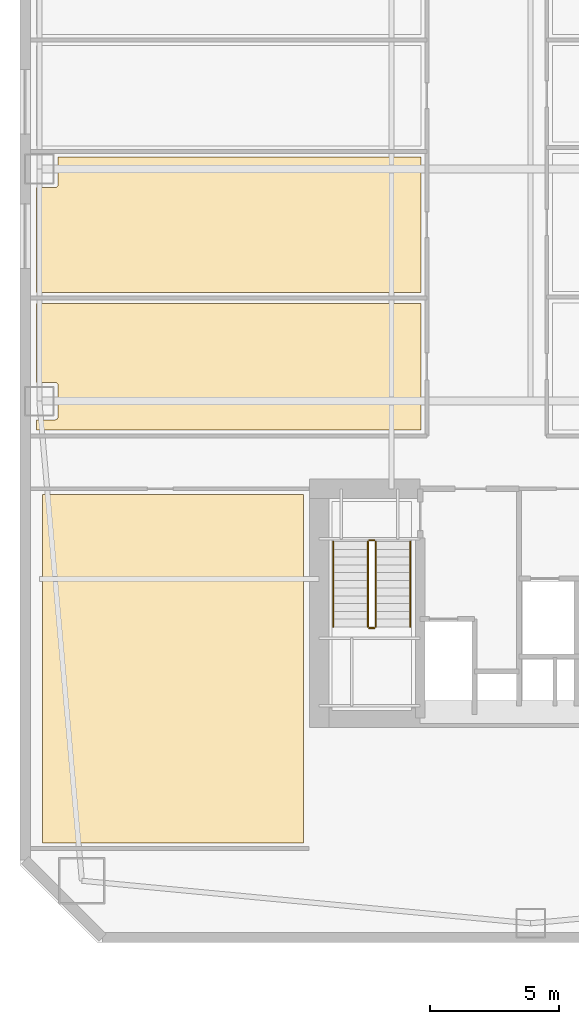
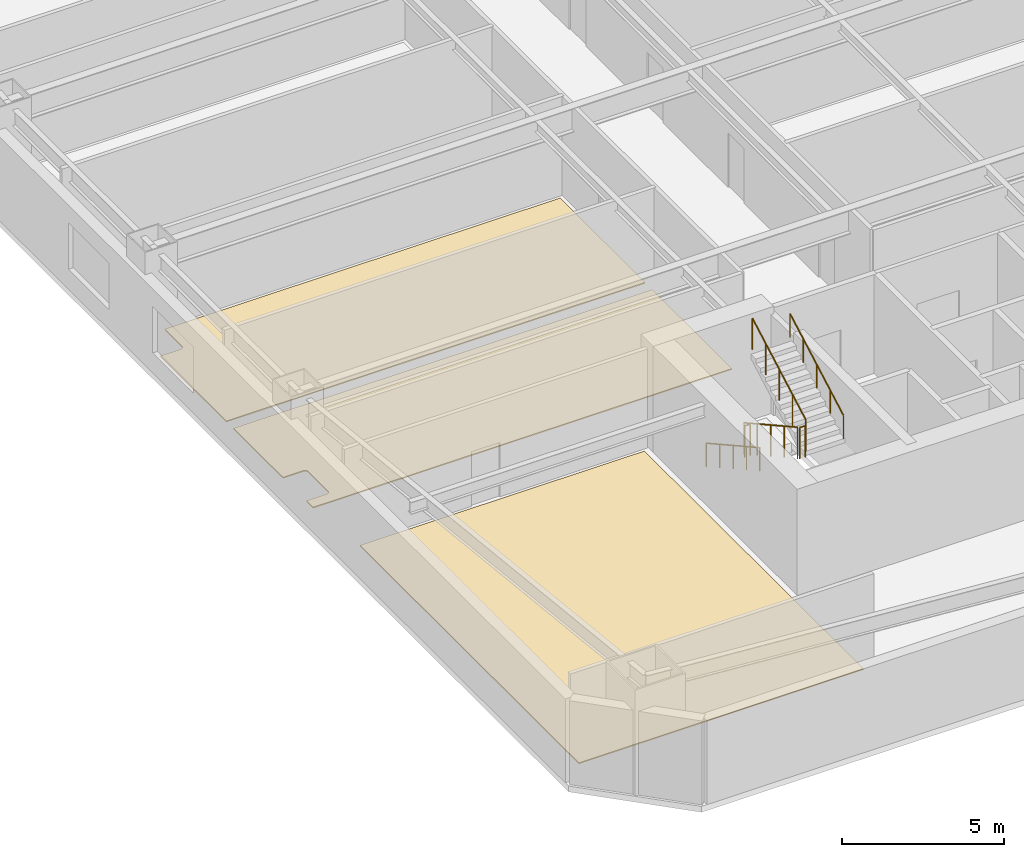
# One storey, part 16 of 24: 6 railings, 3 coverings.
"""IFC4 building model written with IfcOpenShell, lengths in metres."""

from ifc_helpers import new_model, si_unit, direction, frame, origin, origin_2d, place, context, subcontext, project, spatial, polyline, circle, outline, extrude, material, layer, layer_set, type_object, element, save


model = new_model("IFC4")

# Units and contexts
model_context = context("Model", 3, precision=1e-05, world=origin(), true_north=direction((0.0, 1.0)))
body_context = subcontext(model_context, "Body", "Model", "MODEL_VIEW")
ifc_project = project(units=[si_unit("LENGTHUNIT", "METRE"), si_unit("AREAUNIT", "SQUARE_METRE"), si_unit("VOLUMEUNIT", "CUBIC_METRE"), si_unit("PLANEANGLEUNIT", "RADIAN"), si_unit("MASSUNIT", "GRAM", prefix="KILO")], contexts=[model_context])

# Site, building, storey
site_placement = place(None, origin())
site = spatial("IfcSite", under=ifc_project, at=site_placement, CompositionType="ELEMENT")
building_placement = place(site_placement, origin())
building = spatial("IfcBuilding", under=site, at=building_placement, Name="Qiaolan Cultural Towers", CompositionType="ELEMENT")
storey_placement = place(building_placement, frame((0.0, 0.0, 30.0)))
storey = spatial("IfcBuildingStorey", under=building, at=storey_placement, Name="L06", CompositionType="ELEMENT", Elevation=30.0)

# Coverings
ifc_material_1 = material(Name="Honed Terrazzo & Raised Access Flooring", Category="concrete")
ifc_layer = layer(ifc_material_1, 0.0400390625)
ifc_layer_set = layer_set([ifc_layer], Name="Honed Terrazzo & Raised Access Flooring")
covering_type = type_object("IfcCoveringType", Name="COV-FLR-STONE", PredefinedType="FLOORING", material=ifc_layer_set)
covering_1_placement = place(storey_placement, origin())
element("IfcCovering", 1, at=covering_1_placement, inside=storey, type_object=covering_type, Name="L06 Corner Gallery Exhibition Room Finish Flooring", PredefinedType="FLOORING", context=body_context, shape_type="SweptSolid", body=[
    extrude(outline(polyline([(21.199951171875, 7.8701171875), (21.199951171875, 21.3798828125), (11.070068359375, 21.3798828125), (11.070068359375, 7.8701171875), (21.199951171875, 7.8701171875)])), origin(), (0.0, 0.0, 1.0), 0.0400390625),
])
covering_2_placement = place(storey_placement, origin())
element("IfcCovering", 2, at=covering_2_placement, inside=storey, type_object=covering_type, Name="L06 Gallery Exhibition Room Finish Flooring", PredefinedType="FLOORING", context=body_context, shape_type="SweptSolid", body=[
    extrude(outline(polyline([(10.840087890625, 25.72509765625), (11.554931640625, 25.72509765625), (11.566650390625, 25.724365234375), (11.578369140625, 25.72265625), (11.58984375, 25.7197265625), (11.600830078125, 25.7158203125), (11.611572265625, 25.7109375), (11.62158203125, 25.704833984375), (11.631103515625, 25.69775390625), (11.639892578125, 25.68994140625), (11.647705078125, 25.68115234375), (11.65478515625, 25.671630859375), (11.660888671875, 25.66162109375), (11.665771484375, 25.65087890625), (11.669921875, 25.639892578125), (11.672607421875, 25.62841796875), (11.67431640625, 25.61669921875), (11.675048828125, 25.60498046875), (11.675048828125, 24.39501953125), (11.67431640625, 24.38330078125), (11.672607421875, 24.37158203125), (11.669921875, 24.360107421875), (11.665771484375, 24.34912109375), (11.660888671875, 24.33837890625), (11.65478515625, 24.328369140625), (11.647705078125, 24.31884765625), (11.639892578125, 24.31005859375), (11.631103515625, 24.30224609375), (11.62158203125, 24.295166015625), (11.611572265625, 24.2890625), (11.600830078125, 24.2841796875), (11.58984375, 24.2802734375), (11.578369140625, 24.27734375), (11.566650390625, 24.275634765625), (11.554931640625, 24.27490234375), (10.840087890625, 24.27490234375), (10.840087890625, 23.8701171875), (25.7548828125, 23.8701171875), (25.7548828125, 28.780029296875), (10.840087890625, 28.780029296875), (10.840087890625, 25.72509765625)])), origin(), (0.0, 0.0, 1.0), 0.0400390625),
])
covering_3_placement = place(storey_placement, origin())
element("IfcCovering", 3, at=covering_3_placement, inside=storey, type_object=covering_type, Name="L06 Curatorial Office Finish Flooring", PredefinedType="FLOORING", context=body_context, shape_type="SweptSolid", body=[
    extrude(outline(polyline([(11.675048828125, 34.4599609375), (11.675048828125, 33.39501953125), (11.67431640625, 33.38330078125), (11.672607421875, 33.37158203125), (11.669921875, 33.360107421875), (11.665771484375, 33.34912109375), (11.660888671875, 33.33837890625), (11.65478515625, 33.328369140625), (11.647705078125, 33.31884765625), (11.639892578125, 33.31005859375), (11.631103515625, 33.30224609375), (11.62158203125, 33.295166015625), (11.611572265625, 33.2890625), (11.600830078125, 33.2841796875), (11.58984375, 33.2802734375), (11.578369140625, 33.27734375), (11.566650390625, 33.275634765625), (11.554931640625, 33.27490234375), (10.840087890625, 33.27490234375), (10.840087890625, 29.219970703125), (25.7548828125, 29.219970703125), (25.7548828125, 34.4599609375), (11.675048828125, 34.4599609375)])), origin(), (0.0, 0.0, 1.0), 0.0400390625),
])

# Railings
ifc_material_2 = material(Name="Galvanized Painted Steel Stair Guardrail", Category="steel")
railing_type_1 = type_object("IfcRailingType", Name="RL-STAIR-GRD", PredefinedType="GUARDRAIL", material=ifc_material_2)
railing_1_placement = place(storey_placement, frame((23.68994140625, 19.550048828125, 0.166748046875)))
element("IfcRailing", 4, at=railing_1_placement, inside=storey, type_object=railing_type_1, Name="L06 ST-W1 stair guard 1", PredefinedType="GUARDRAIL", context=body_context, shape_type="SweptSolid", body=[
    extrude(circle(Radius=0.02392578125, at=origin_2d()), frame((0.0, 0.0, 1.17578125), z_axis=(0.0, -0.874169478083, 0.485620966999), x_axis=(1.0, 0.0, 0.0)), (0.0, 0.0, 1.0), 3.775146484375),
    extrude(circle(Radius=0.02099609375, at=origin_2d()), origin(), (0.0, 0.0, 1.0), 1.15185546875),
    extrude(circle(Radius=0.02099609375, at=origin_2d()), frame((0.0, -0.824951171875, 0.458251953125)), (0.0, 0.0, 1.0), 1.15185546875),
    extrude(circle(Radius=0.02099609375, at=origin_2d()), frame((0.0, -1.64990234375, 0.91650390625)), (0.0, 0.0, 1.0), 1.15185546875),
    extrude(circle(Radius=0.02099609375, at=origin_2d()), frame((0.0, -2.47509765625, 1.375)), (0.0, 0.0, 1.0), 1.15185546875),
    extrude(circle(Radius=0.02099609375, at=origin_2d()), frame((0.0, -3.300048828125, 1.833251953125)), (0.0, 0.0, 1.0), 1.15185546875),
])
railing_2_placement = place(storey_placement, frame((23.739990234375, 16.199951171875, 2.0)))
element("IfcRailing", 5, at=railing_2_placement, inside=storey, type_object=railing_type_1, Name="L06 ST-W1 stair guard 2", PredefinedType="GUARDRAIL", context=body_context, shape_type="SweptSolid", body=[
    extrude(circle(Radius=0.02392578125, at=origin_2d()), frame((0.0, 0.0, 1.17578125), z_axis=(1.0, 0.0, 0.0), x_axis=(0.0, 1.0, 0.0)), (0.0, 0.0, 1.0), 0.199951171875),
    extrude(circle(Radius=0.02099609375, at=origin_2d()), origin(), (0.0, 0.0, 1.0), 1.15185546875),
    extrude(circle(Radius=0.02099609375, at=origin_2d()), frame((0.199951171875, 0.0, 0.0)), (0.0, 0.0, 1.0), 1.15185546875),
])
railing_3_placement = place(storey_placement, frame((23.989990234375, 16.25, 2.166748046875)))
element("IfcRailing", 6, at=railing_3_placement, inside=storey, type_object=railing_type_1, Name="L06 ST-W1 stair guard 3", PredefinedType="GUARDRAIL", context=body_context, shape_type="SweptSolid", body=[
    extrude(circle(Radius=0.02392578125, at=origin_2d()), frame((0.0, 0.0, 1.17578125), z_axis=(0.0, 0.874169478083, 0.485620966999), x_axis=(-1.0, 0.0, 0.0)), (0.0, 0.0, 1.0), 3.775146484375),
    extrude(circle(Radius=0.02099609375, at=origin_2d()), origin(), (0.0, 0.0, 1.0), 1.15185546875),
    extrude(circle(Radius=0.02099609375, at=origin_2d()), frame((0.0, 0.824951171875, 0.458251953125)), (0.0, 0.0, 1.0), 1.15185546875),
    extrude(circle(Radius=0.02099609375, at=origin_2d()), frame((0.0, 1.64990234375, 0.91650390625)), (0.0, 0.0, 1.0), 1.15185546875),
    extrude(circle(Radius=0.02099609375, at=origin_2d()), frame((0.0, 2.47509765625, 1.375)), (0.0, 0.0, 1.0), 1.15185546875),
    extrude(circle(Radius=0.02099609375, at=origin_2d()), frame((0.0, 3.300048828125, 1.833251953125)), (0.0, 0.0, 1.0), 1.15185546875),
])
railing_4_placement = place(storey_placement, frame((23.739990234375, 19.60009765625, 0.0)))
element("IfcRailing", 7, at=railing_4_placement, inside=storey, type_object=railing_type_1, Name="L06 ST-W1 stair guard 4", PredefinedType="GUARDRAIL", context=body_context, shape_type="SweptSolid", body=[
    extrude(circle(Radius=0.02392578125, at=origin_2d()), frame((0.0, 0.0, 1.17578125), z_axis=(1.0, 0.0, 0.0), x_axis=(0.0, 1.0, 0.0)), (0.0, 0.0, 1.0), 0.199951171875),
    extrude(circle(Radius=0.02099609375, at=origin_2d()), origin(), (0.0, 0.0, 1.0), 1.15185546875),
    extrude(circle(Radius=0.02099609375, at=origin_2d()), frame((0.199951171875, 0.0, 0.0)), (0.0, 0.0, 1.0), 1.15185546875),
])
ifc_material_3 = material(Name="Stainless Steel S30408 Tubular Handrail", Category="steel")
railing_type_2 = type_object("IfcRailingType", Name="RL-STAIR-HR", PredefinedType="HANDRAIL", material=ifc_material_3)
railing_5_placement = place(storey_placement, frame((22.35009765625, 19.550048828125, 0.166748046875)))
element("IfcRailing", 8, at=railing_5_placement, inside=storey, type_object=railing_type_2, Name="L06 ST-W1 stair handrail 1", PredefinedType="HANDRAIL", context=body_context, shape_type="SweptSolid", body=[
    extrude(circle(Radius=0.02392578125, at=origin_2d()), frame((0.0, 0.0, 0.8759765625), z_axis=(0.0, -0.874169478083, 0.485620966999), x_axis=(1.0, 0.0, 0.0)), (0.0, 0.0, 1.0), 3.775146484375),
    extrude(circle(Radius=0.02099609375, at=origin_2d()), origin(), (0.0, 0.0, 1.0), 0.851806640625),
    extrude(circle(Radius=0.02099609375, at=origin_2d()), frame((0.0, -0.824951171875, 0.458251953125)), (0.0, 0.0, 1.0), 0.851806640625),
    extrude(circle(Radius=0.02099609375, at=origin_2d()), frame((0.0, -1.64990234375, 0.91650390625)), (0.0, 0.0, 1.0), 0.851806640625),
    extrude(circle(Radius=0.02099609375, at=origin_2d()), frame((0.0, -2.47509765625, 1.375)), (0.0, 0.0, 1.0), 0.851806640625),
    extrude(circle(Radius=0.02099609375, at=origin_2d()), frame((0.0, -3.300048828125, 1.833251953125)), (0.0, 0.0, 1.0), 0.851806640625),
])
railing_6_placement = place(storey_placement, frame((25.330078125, 16.25, 2.166748046875)))
element("IfcRailing", 9, at=railing_6_placement, inside=storey, type_object=railing_type_2, Name="L06 ST-W1 stair handrail 2", PredefinedType="HANDRAIL", context=body_context, shape_type="SweptSolid", body=[
    extrude(circle(Radius=0.02392578125, at=origin_2d()), frame((0.0, 0.0, 0.8759765625), z_axis=(0.0, 0.874169478083, 0.485620966999), x_axis=(-1.0, 0.0, 0.0)), (0.0, 0.0, 1.0), 3.775146484375),
    extrude(circle(Radius=0.02099609375, at=origin_2d()), origin(), (0.0, 0.0, 1.0), 0.851806640625),
    extrude(circle(Radius=0.02099609375, at=origin_2d()), frame((0.0, 0.824951171875, 0.458251953125)), (0.0, 0.0, 1.0), 0.851806640625),
    extrude(circle(Radius=0.02099609375, at=origin_2d()), frame((0.0, 1.64990234375, 0.91650390625)), (0.0, 0.0, 1.0), 0.851806640625),
    extrude(circle(Radius=0.02099609375, at=origin_2d()), frame((0.0, 2.47509765625, 1.375)), (0.0, 0.0, 1.0), 0.851806640625),
    extrude(circle(Radius=0.02099609375, at=origin_2d()), frame((0.0, 3.300048828125, 1.833251953125)), (0.0, 0.0, 1.0), 0.851806640625),
])

save(model, "model.ifc")
